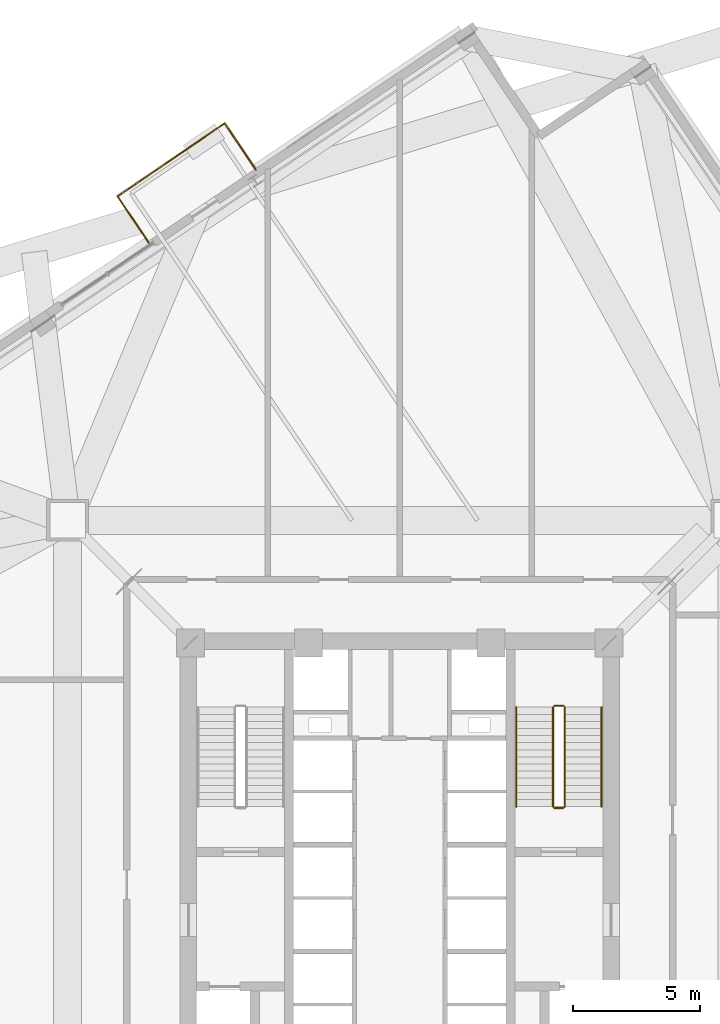
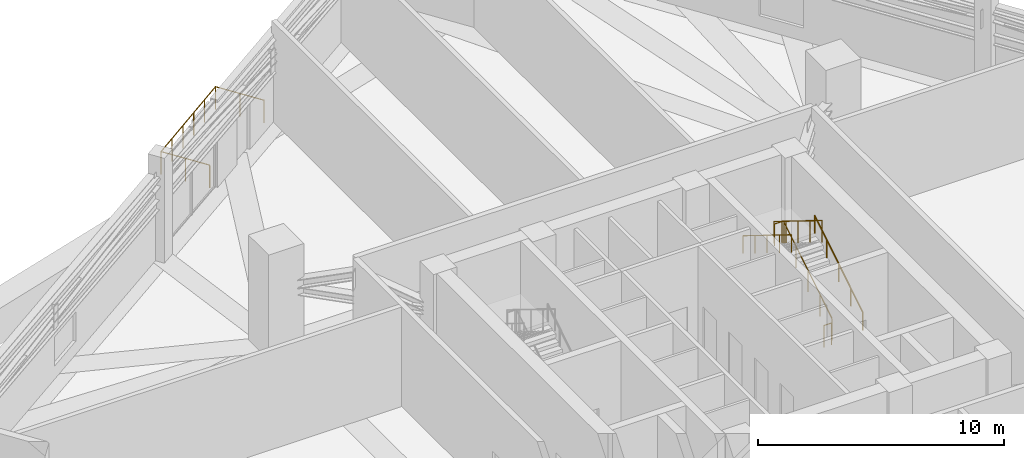
# One storey, part 20 of 21: 9 railings.
"""IFC4 building model written with IfcOpenShell, lengths in metres."""

from ifc_helpers import new_model, si_unit, direction, frame, origin, origin_2d, place, context, subcontext, project, spatial, circle, extrude, source, transform, mapped, material, type_object, element, save


model = new_model("IFC4")

# Units and contexts
model_context = context("Model", 3, precision=1e-05, world=origin(), true_north=direction((0.0, 1.0)))
body_context = subcontext(model_context, "Body", "Model", "MODEL_VIEW")
ifc_project = project(units=[si_unit("LENGTHUNIT", "METRE"), si_unit("AREAUNIT", "SQUARE_METRE"), si_unit("VOLUMEUNIT", "CUBIC_METRE"), si_unit("PLANEANGLEUNIT", "RADIAN"), si_unit("MASSUNIT", "GRAM", prefix="KILO"), si_unit("THERMODYNAMICTEMPERATUREUNIT", "KELVIN")], contexts=[model_context])

# Site, building, storey
site_placement = place(None, origin())
site = spatial("IfcSite", under=ifc_project, at=site_placement, CompositionType="ELEMENT")
building_placement = place(site_placement, origin())
building = spatial("IfcBuilding", under=site, at=building_placement, Name="Kosmvard Interchange Tower", CompositionType="ELEMENT")
storey_placement = place(building_placement, frame((0.0, 0.0, 139.199951171875)))
storey = spatial("IfcBuildingStorey", under=building, at=storey_placement, Name="L33", CompositionType="ELEMENT", Elevation=139.199951171875)

# Railings
ifc_material = material(Name="Steel S355", Category="steel")
railing_type_1 = type_object("IfcRailingType", Name="Observation & Balcony Glass-Infill Balustrade 1150", PredefinedType="BALUSTRADE", material=ifc_material)
shared_shape_1 = source(origin(), body_context, "Body", "SweptSolid", [
    extrude(circle(Radius=0.02392578125, at=origin_2d()), frame((0.0, 0.0, 1.1259765625), z_axis=(-0.559225044374, 0.829015892335, 0.0), x_axis=(-0.829015892335, -0.559225044374, 0.0)), (0.0, 0.0, 1.0), 2.199951171875),
    extrude(circle(Radius=0.02099609375, at=origin_2d()), origin(), (0.0, 0.0, 1.0), 1.101806640625),
    extrude(circle(Radius=0.02099609375, at=origin_2d()), frame((-0.615234375, 0.911865234375, 0.0)), (0.0, 0.0, 1.0), 1.101806640625),
    extrude(circle(Radius=0.02099609375, at=origin_2d()), frame((-1.230224609375, 1.82373046875, 0.0)), (0.0, 0.0, 1.0), 1.101806640625),
])
railing_1_placement = place(storey_placement, frame((-5.669921875, 26.893310546875, 0.0)))
element("IfcRailing", 1, at=railing_1_placement, inside=storey, type_object=railing_type_1, Name="L33 Outdoor Terrace Guard SKG-L33-N-A", PredefinedType="BALUSTRADE", context=body_context, shape_type="MappedRepresentation", body=[
    mapped(shared_shape_1, transform((0.0, 0.0, 0.0), scale=1.0)),
])
shared_shape_2 = source(origin(), body_context, "Body", "SweptSolid", [
    extrude(circle(Radius=0.02392578125, at=origin_2d()), frame((0.0, 0.0, 1.1259765625), z_axis=(-0.825936792718, -0.563762728845, 0.0), x_axis=(0.563762728845, -0.825936792718, 0.0)), (0.0, 0.0, 1.0), 5.10400390625),
    extrude(circle(Radius=0.02099609375, at=origin_2d()), origin(), (0.0, 0.0, 1.0), 1.101806640625),
    extrude(circle(Radius=0.02099609375, at=origin_2d()), frame((-0.843017578125, -0.575439453125, 0.0)), (0.0, 0.0, 1.0), 1.101806640625),
    extrude(circle(Radius=0.02099609375, at=origin_2d()), frame((-1.686279296875, -1.15087890625, 0.0)), (0.0, 0.0, 1.0), 1.101806640625),
    extrude(circle(Radius=0.02099609375, at=origin_2d()), frame((-2.529296875, -1.7265625, 0.0)), (0.0, 0.0, 1.0), 1.101806640625),
    extrude(circle(Radius=0.02099609375, at=origin_2d()), frame((-3.37255859375, -2.302001953125, 0.0)), (0.0, 0.0, 1.0), 1.101806640625),
    extrude(circle(Radius=0.02099609375, at=origin_2d()), frame((-4.215576171875, -2.87744140625, 0.0)), (0.0, 0.0, 1.0), 1.101806640625),
])
railing_2_placement = place(storey_placement, frame((-6.900146484375, 28.717041015625, 0.0)))
element("IfcRailing", 2, at=railing_2_placement, inside=storey, type_object=railing_type_1, Name="L33 Outdoor Terrace Guard SKG-L33-N-B", PredefinedType="BALUSTRADE", context=body_context, shape_type="MappedRepresentation", body=[
    mapped(shared_shape_2, transform((0.0, 0.0, 0.0), scale=1.0)),
])
shared_shape_3 = source(origin(), body_context, "Body", "SweptSolid", [
    extrude(circle(Radius=0.02392578125, at=origin_2d()), frame((0.0, 0.0, 1.1259765625), z_axis=(0.559225044374, -0.829015892335, 0.0), x_axis=(0.829015892335, 0.559225044374, 0.0)), (0.0, 0.0, 1.0), 2.199951171875),
    extrude(circle(Radius=0.02099609375, at=origin_2d()), origin(), (0.0, 0.0, 1.0), 1.101806640625),
    extrude(circle(Radius=0.02099609375, at=origin_2d()), frame((0.615234375, -0.911865234375, 0.0)), (0.0, 0.0, 1.0), 1.101806640625),
    extrude(circle(Radius=0.02099609375, at=origin_2d()), frame((1.230224609375, -1.82373046875, 0.0)), (0.0, 0.0, 1.0), 1.101806640625),
])
railing_3_placement = place(storey_placement, frame((-11.11572265625, 25.839599609375, 0.0)))
element("IfcRailing", 3, at=railing_3_placement, inside=storey, type_object=railing_type_1, Name="L33 Outdoor Terrace Guard SKG-L33-N-C", PredefinedType="BALUSTRADE", context=body_context, shape_type="MappedRepresentation", body=[
    mapped(shared_shape_3, transform((0.0, 0.0, 0.0), scale=1.0)),
])
railing_type_2 = type_object("IfcRailingType", Name="Stair & Terrace Safety Guardrail 1100 Steel", PredefinedType="GUARDRAIL", material=ifc_material)
shared_shape_4 = source(origin(), body_context, "Body", "SweptSolid", [
    extrude(circle(Radius=0.02392578125, at=origin_2d()), frame((0.0, 0.0, 1.076171875), z_axis=(-1.0, 0.0, 0.0), x_axis=(0.0, -1.0, 0.0)), (0.0, 0.0, 1.0), 0.35986328125),
    extrude(circle(Radius=0.02099609375, at=origin_2d()), origin(), (0.0, 0.0, 1.0), 1.052001953125),
    extrude(circle(Radius=0.02099609375, at=origin_2d()), frame((-0.35986328125, 0.0, 0.0)), (0.0, 0.0, 1.0), 1.052001953125),
])
for number, where, name in (
    (4, (6.449951171875, 5.77001953125, 2.60009765625), "L33 ST-2 stair guard 2"),
    (5, (6.449951171875, 1.75, 0.0), "L33 ST-2 stair guard 4"),
):
    element("IfcRailing", number, at=place(storey_placement, frame(where)), inside=storey, type_object=railing_type_2, Name=name, PredefinedType="GUARDRAIL", context=body_context, shape_type="MappedRepresentation", body=[
        mapped(shared_shape_4, transform((0.0, 0.0, 0.0), scale=1.0)),
    ])
shared_shape_5 = source(origin(), body_context, "Body", "SweptSolid", [
    extrude(circle(Radius=0.02392578125, at=origin_2d()), frame((0.0, 0.0, 1.076171875), z_axis=(0.0, 0.850251603719, 0.526376491091), x_axis=(-1.0, 0.0, 0.0)), (0.0, 0.0, 1.0), 4.6103515625),
    extrude(circle(Radius=0.02099609375, at=origin_2d()), origin(), (0.0, 0.0, 1.0), 1.052001953125),
    extrude(circle(Radius=0.02099609375, at=origin_2d()), frame((0.0, 0.97998046875, 0.606689453125)), (0.0, 0.0, 1.0), 1.052001953125),
    extrude(circle(Radius=0.02099609375, at=origin_2d()), frame((0.0, 1.9599609375, 1.21337890625)), (0.0, 0.0, 1.0), 1.052001953125),
    extrude(circle(Radius=0.02099609375, at=origin_2d()), frame((0.0, 2.93994140625, 1.820068359375)), (0.0, 0.0, 1.0), 1.052001953125),
    extrude(circle(Radius=0.02099609375, at=origin_2d()), frame((0.0, 3.919921875, 2.4267578125)), (0.0, 0.0, 1.0), 1.052001953125),
])
railing_4_placement = place(storey_placement, frame((6.5, 1.800048828125, 0.17333984375)))
element("IfcRailing", 6, at=railing_4_placement, inside=storey, type_object=railing_type_2, Name="L33 ST-2 stair guard 1", PredefinedType="GUARDRAIL", context=body_context, shape_type="MappedRepresentation", body=[
    mapped(shared_shape_5, transform((0.0, 0.0, 0.0), scale=1.0)),
])
shared_shape_6 = source(origin(), body_context, "Body", "SweptSolid", [
    extrude(circle(Radius=0.02392578125, at=origin_2d()), frame((0.0, 0.0, 1.076171875), z_axis=(0.0, -0.850275303828, 0.526338206574), x_axis=(1.0, 0.0, 0.0)), (0.0, 0.0, 1.0), 4.610107421875),
    extrude(circle(Radius=0.02099609375, at=origin_2d()), origin(), (0.0, 0.0, 1.0), 1.052001953125),
    extrude(circle(Radius=0.02099609375, at=origin_2d()), frame((0.0, -0.97998046875, 0.606689453125)), (0.0, 0.0, 1.0), 1.052001953125),
    extrude(circle(Radius=0.02099609375, at=origin_2d()), frame((0.0, -1.9599609375, 1.21337890625)), (0.0, 0.0, 1.0), 1.052001953125),
    extrude(circle(Radius=0.02099609375, at=origin_2d()), frame((0.0, -2.93994140625, 1.81982421875)), (0.0, 0.0, 1.0), 1.052001953125),
    extrude(circle(Radius=0.02099609375, at=origin_2d()), frame((0.0, -3.919921875, 2.426513671875)), (0.0, 0.0, 1.0), 1.052001953125),
])
railing_5_placement = place(storey_placement, frame((6.0400390625, 5.719970703125, 2.7734375)))
element("IfcRailing", 7, at=railing_5_placement, inside=storey, type_object=railing_type_2, Name="L33 ST-2 stair guard 3", PredefinedType="GUARDRAIL", context=body_context, shape_type="MappedRepresentation", body=[
    mapped(shared_shape_6, transform((0.0, 0.0, 0.0), scale=1.0)),
])
railing_type_3 = type_object("IfcRailingType", Name="Wall-Mounted Stair Handrail 900 Steel", PredefinedType="HANDRAIL", material=ifc_material)
shared_shape_7 = source(origin(), body_context, "Body", "SweptSolid", [
    extrude(circle(Radius=0.02392578125, at=origin_2d()), frame((0.0, 0.0, 0.8759765625), z_axis=(0.0, 0.850251603719, 0.526376491091), x_axis=(-1.0, 0.0, 0.0)), (0.0, 0.0, 1.0), 4.6103515625),
    extrude(circle(Radius=0.02099609375, at=origin_2d()), origin(), (0.0, 0.0, 1.0), 0.851806640625),
    extrude(circle(Radius=0.02099609375, at=origin_2d()), frame((0.0, 0.97998046875, 0.606689453125)), (0.0, 0.0, 1.0), 0.851806640625),
    extrude(circle(Radius=0.02099609375, at=origin_2d()), frame((0.0, 1.9599609375, 1.21337890625)), (0.0, 0.0, 1.0), 0.851806640625),
    extrude(circle(Radius=0.02099609375, at=origin_2d()), frame((0.0, 2.93994140625, 1.820068359375)), (0.0, 0.0, 1.0), 0.851806640625),
    extrude(circle(Radius=0.02099609375, at=origin_2d()), frame((0.0, 3.919921875, 2.4267578125)), (0.0, 0.0, 1.0), 0.851806640625),
])
railing_6_placement = place(storey_placement, frame((7.949951171875, 1.800048828125, 0.17333984375)))
element("IfcRailing", 8, at=railing_6_placement, inside=storey, type_object=railing_type_3, Name="L33 ST-2 stair handrail 1", PredefinedType="HANDRAIL", context=body_context, shape_type="MappedRepresentation", body=[
    mapped(shared_shape_7, transform((0.0, 0.0, 0.0), scale=1.0)),
])
shared_shape_8 = source(origin(), body_context, "Body", "SweptSolid", [
    extrude(circle(Radius=0.02392578125, at=origin_2d()), frame((0.0, 0.0, 0.8759765625), z_axis=(0.0, -0.850275303828, 0.526338206574), x_axis=(1.0, 0.0, 0.0)), (0.0, 0.0, 1.0), 4.610107421875),
    extrude(circle(Radius=0.02099609375, at=origin_2d()), origin(), (0.0, 0.0, 1.0), 0.851806640625),
    extrude(circle(Radius=0.02099609375, at=origin_2d()), frame((0.0, -0.97998046875, 0.606689453125)), (0.0, 0.0, 1.0), 0.851806640625),
    extrude(circle(Radius=0.02099609375, at=origin_2d()), frame((0.0, -1.9599609375, 1.21337890625)), (0.0, 0.0, 1.0), 0.851806640625),
    extrude(circle(Radius=0.02099609375, at=origin_2d()), frame((0.0, -2.93994140625, 1.81982421875)), (0.0, 0.0, 1.0), 0.851806640625),
    extrude(circle(Radius=0.02099609375, at=origin_2d()), frame((0.0, -3.919921875, 2.426513671875)), (0.0, 0.0, 1.0), 0.851806640625),
])
railing_7_placement = place(storey_placement, frame((4.590087890625, 5.719970703125, 2.7734375)))
element("IfcRailing", 9, at=railing_7_placement, inside=storey, type_object=railing_type_3, Name="L33 ST-2 stair handrail 2", PredefinedType="HANDRAIL", context=body_context, shape_type="MappedRepresentation", body=[
    mapped(shared_shape_8, transform((0.0, 0.0, 0.0), scale=1.0)),
])

save(model, "model.ifc")
